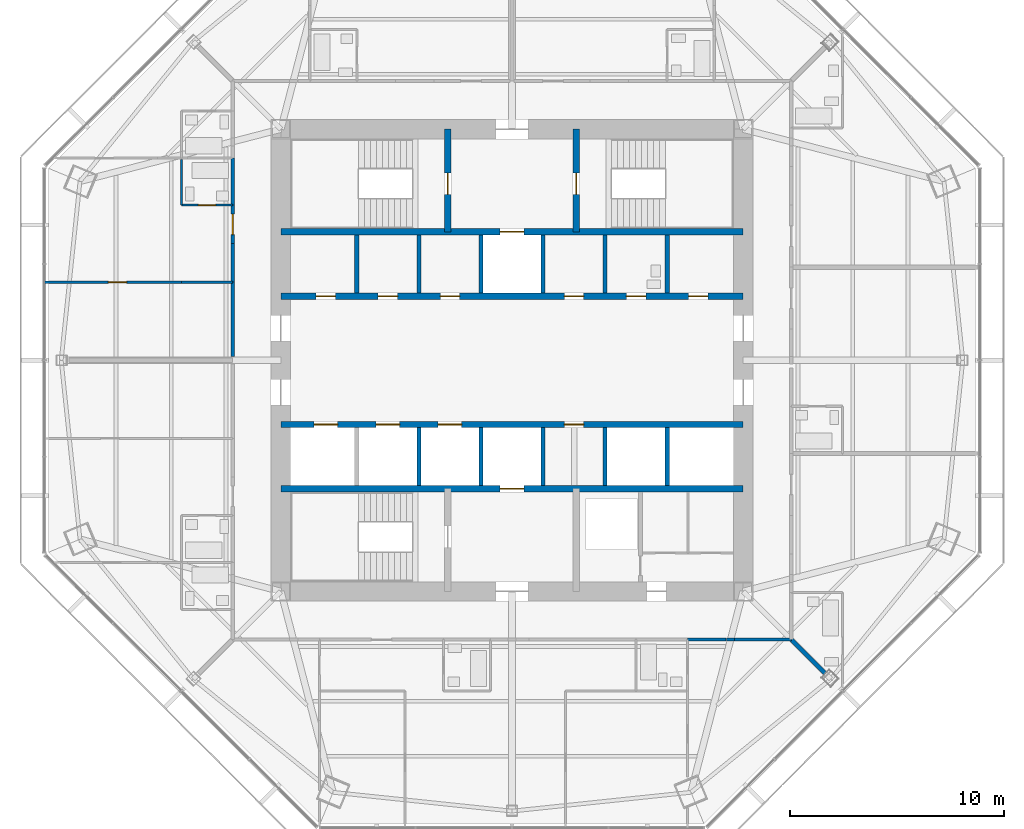
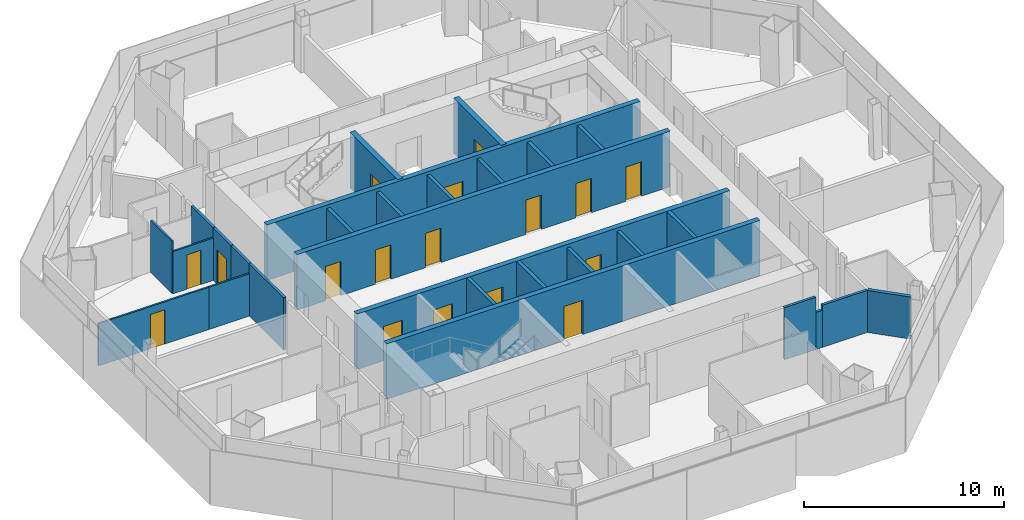
# One storey, part 10 of 16: 29 walls, 17 doors, 17 openings.
"""IFC4 building model written with IfcOpenShell, lengths in metres."""

from ifc_helpers import new_model, si_unit, direction, frame, frame_2d, origin, place, context, subcontext, project, spatial, rectangle, extrude, material, layer, layer_set, type_object, element, fill, save


model = new_model("IFC4")

# Units and contexts
model_context = context("Model", 3, precision=1e-05, world=origin(), true_north=direction((0.0, 1.0)))
body_context = subcontext(model_context, "Body", "Model", "MODEL_VIEW")
ifc_project = project(units=[si_unit("LENGTHUNIT", "METRE"), si_unit("AREAUNIT", "SQUARE_METRE"), si_unit("VOLUMEUNIT", "CUBIC_METRE"), si_unit("PLANEANGLEUNIT", "RADIAN"), si_unit("MASSUNIT", "GRAM", prefix="KILO")], contexts=[model_context])

# Site, building, storey
site_placement = place(None, origin())
site = spatial("IfcSite", under=ifc_project, at=site_placement, CompositionType="ELEMENT")
building_placement = place(site_placement, origin())
building = spatial("IfcBuilding", under=site, at=building_placement, Name="Mashrafa Tower", CompositionType="ELEMENT")
storey_placement = place(building_placement, frame((0.0, 0.0, 217.60009765625)))
storey = spatial("IfcBuildingStorey", under=building, at=storey_placement, Name="L50", CompositionType="ELEMENT", Elevation=217.60009765625)

# Wall
ifc_material_1 = material(Name="Gypsum board on steel studs", Category="steel")
ifc_layer_1 = layer(ifc_material_1, 0.199951171875)
ifc_layer_set_1 = layer_set([ifc_layer_1], Name="Acoustic partition 200 1 hr")
wall_type_1 = type_object("IfcWallType", Name="Acoustic partition 200 1 hr", PredefinedType="PARTITIONING", material=ifc_layer_set_1)
wall_1_placement = place(storey_placement, frame((13.050048828125, -13.050048828125, 0.0), z_axis=(0.0, 0.0, 1.0), x_axis=(0.707106781187, -0.707106781187, 0.0)))
element("IfcWall", 1, at=wall_1_placement, inside=storey, type_object=wall_type_1, Name="Acoustic wall L50-063", PredefinedType="PARTITIONING", context=body_context, shape_type="SweptSolid", body=[
    extrude(rectangle(XDim=2.23828125, YDim=0.199951171875, at=frame_2d((1.119140625, 0.0))), origin(), (0.0, 0.0, 1.0), 2.577880859375),
])

# Wall, openings, doors
ifc_material_2 = material(Name="Concrete C50/60", Category="concrete")
ifc_layer_2 = layer(ifc_material_2, 0.300048828125)
ifc_layer_set_2 = layer_set([ifc_layer_2], Name="Core wall 300 C50/60")
wall_type_2 = type_object("IfcWallType", Name="Core wall 300 C50/60", PredefinedType="SOLIDWALL", material=ifc_layer_set_2)
wall_2_placement = place(storey_placement, frame((-10.800048828125, 3.0, 0.0), z_axis=(0.0, 0.0, 1.0), x_axis=(1.0, 0.0, 0.0)))
wall_2 = element("IfcWall", 2, at=wall_2_placement, inside=storey, type_object=wall_type_2, Name="Core wall CH-N L50", PredefinedType="SOLIDWALL", context=body_context, shape_type="SweptSolid", body=[
    extrude(rectangle(XDim=21.60009765625, YDim=0.300048828125, at=frame_2d((10.800048828125, 0.0))), origin(), (0.0, 0.0, 1.0), 3.39990234375),
])
opening_1_placement = place(wall_2_placement, frame((1.64990234375, 0.0, 0.0)))
opening_1 = element("IfcOpeningElement", 3, at=opening_1_placement, cuts=wall_2, Name="Opening 50.043", PredefinedType="OPENING", context=body_context, shape_type="SweptSolid", body=[
    extrude(rectangle(XDim=0.89990234375, YDim=2.10009765625, at=frame_2d((0.449951171875, 1.050048828125))), frame((0.0, 0.159912109375, 0.0), z_axis=(0.0, -1.0, 0.0), x_axis=(1.0, 0.0, 0.0)), (0.0, 0.0, 1.0), 0.320068359375),
])
opening_2_placement = place(wall_2_placement, frame((13.25, 0.0, 0.0)))
opening_2 = element("IfcOpeningElement", 4, at=opening_2_placement, cuts=wall_2, Name="Opening 50.044", PredefinedType="OPENING", context=body_context, shape_type="SweptSolid", body=[
    extrude(rectangle(XDim=0.89990234375, YDim=2.10009765625, at=frame_2d((0.449951171875, 1.050048828125))), frame((0.0, 0.159912109375, 0.0), z_axis=(0.0, -1.0, 0.0), x_axis=(1.0, 0.0, 0.0)), (0.0, 0.0, 1.0), 0.320068359375),
])
opening_3_placement = place(wall_2_placement, frame((16.14990234375, 0.0, 0.0)))
opening_3 = element("IfcOpeningElement", 5, at=opening_3_placement, cuts=wall_2, Name="Opening 50.045", PredefinedType="OPENING", context=body_context, shape_type="SweptSolid", body=[
    extrude(rectangle(XDim=0.89990234375, YDim=2.10009765625, at=frame_2d((0.449951171875, 1.050048828125))), frame((0.0, 0.159912109375, 0.0), z_axis=(0.0, -1.0, 0.0), x_axis=(1.0, 0.0, 0.0)), (0.0, 0.0, 1.0), 0.320068359375),
])
opening_4_placement = place(wall_2_placement, frame((4.550048828125, 0.0, 0.0)))
opening_4 = element("IfcOpeningElement", 6, at=opening_4_placement, cuts=wall_2, Name="Opening 50.047", PredefinedType="OPENING", context=body_context, shape_type="SweptSolid", body=[
    extrude(rectangle(XDim=0.89990234375, YDim=2.10009765625, at=frame_2d((0.449951171875, 1.050048828125))), frame((0.0, 0.159912109375, 0.0), z_axis=(0.0, -1.0, 0.0), x_axis=(1.0, 0.0, 0.0)), (0.0, 0.0, 1.0), 0.320068359375),
])
opening_5_placement = place(wall_2_placement, frame((7.449951171875, 0.0, 0.0)))
opening_5 = element("IfcOpeningElement", 7, at=opening_5_placement, cuts=wall_2, Name="Opening 50.048", PredefinedType="OPENING", context=body_context, shape_type="SweptSolid", body=[
    extrude(rectangle(XDim=0.89990234375, YDim=2.10009765625, at=frame_2d((0.449951171875, 1.050048828125))), frame((0.0, 0.159912109375, 0.0), z_axis=(0.0, -1.0, 0.0), x_axis=(1.0, 0.0, 0.0)), (0.0, 0.0, 1.0), 0.320068359375),
])
opening_6_placement = place(wall_2_placement, frame((19.050048828125, 0.0, 0.0)))
opening_6 = element("IfcOpeningElement", 8, at=opening_6_placement, cuts=wall_2, Name="Opening 50.049", PredefinedType="OPENING", context=body_context, shape_type="SweptSolid", body=[
    extrude(rectangle(XDim=0.89990234375, YDim=2.10009765625, at=frame_2d((0.449951171875, 1.050048828125))), frame((0.0, 0.159912109375, 0.0), z_axis=(0.0, -1.0, 0.0), x_axis=(1.0, 0.0, 0.0)), (0.0, 0.0, 1.0), 0.320068359375),
])
ifc_material_3 = material(Name="Timber door", Category="wood")
door_type_1 = type_object("IfcDoorType", Name="Store door 900 x 2100", OperationType="USERDEFINED", PredefinedType="DOOR", material=ifc_material_3)
door_1_placement = place(opening_1_placement, origin())
door_1 = element("IfcDoor", 9, at=door_1_placement, inside=storey, type_object=door_type_1, Name="Refuse Chute Room L50 door", OperationType="SINGLE_SWING_RIGHT", OverallHeight=2.10009765625, OverallWidth=0.89990234375, PredefinedType="DOOR", context=body_context, shape_type="SweptSolid", body=[
    extrude(rectangle(XDim=0.89990234375, YDim=2.10009765625, at=frame_2d((0.449951171875, 1.050048828125))), frame((0.0, 0.02490234375, 0.0), z_axis=(0.0, -1.0, 0.0), x_axis=(1.0, 0.0, 0.0)), (0.0, 0.0, 1.0), 0.050048828125),
])
fill(opening_1, door_1)
door_2_placement = place(opening_2_placement, origin())
door_2 = element("IfcDoor", 10, at=door_2_placement, inside=storey, type_object=door_type_1, Name="Cleaner's Store L50 door", OperationType="SINGLE_SWING_LEFT", OverallHeight=2.10009765625, OverallWidth=0.89990234375, PredefinedType="DOOR", context=body_context, shape_type="SweptSolid", body=[
    extrude(rectangle(XDim=0.89990234375, YDim=2.10009765625, at=frame_2d((0.449951171875, 1.050048828125))), frame((0.0, 0.02490234375, 0.0), z_axis=(0.0, -1.0, 0.0), x_axis=(1.0, 0.0, 0.0)), (0.0, 0.0, 1.0), 0.050048828125),
])
fill(opening_2, door_2)
door_3_placement = place(opening_4_placement, origin())
door_3 = element("IfcDoor", 11, at=door_3_placement, inside=storey, type_object=door_type_1, Name="Residents' Store L50-A2 door", OperationType="SINGLE_SWING_LEFT", OverallHeight=2.10009765625, OverallWidth=0.89990234375, PredefinedType="DOOR", context=body_context, shape_type="SweptSolid", body=[
    extrude(rectangle(XDim=0.89990234375, YDim=2.10009765625, at=frame_2d((0.449951171875, 1.050048828125))), frame((0.0, 0.02490234375, 0.0), z_axis=(0.0, -1.0, 0.0), x_axis=(1.0, 0.0, 0.0)), (0.0, 0.0, 1.0), 0.050048828125),
])
fill(opening_4, door_3)
door_4_placement = place(opening_5_placement, origin())
door_4 = element("IfcDoor", 12, at=door_4_placement, inside=storey, type_object=door_type_1, Name="Residents' Store L50-A3 door", OperationType="SINGLE_SWING_LEFT", OverallHeight=2.10009765625, OverallWidth=0.89990234375, PredefinedType="DOOR", context=body_context, shape_type="SweptSolid", body=[
    extrude(rectangle(XDim=0.89990234375, YDim=2.10009765625, at=frame_2d((0.449951171875, 1.050048828125))), frame((0.0, 0.02490234375, 0.0), z_axis=(0.0, -1.0, 0.0), x_axis=(1.0, 0.0, 0.0)), (0.0, 0.0, 1.0), 0.050048828125),
])
fill(opening_5, door_4)
door_5_placement = place(opening_6_placement, origin())
door_5 = element("IfcDoor", 13, at=door_5_placement, inside=storey, type_object=door_type_1, Name="Residents' Store L50-K2 door", OperationType="SINGLE_SWING_LEFT", OverallHeight=2.10009765625, OverallWidth=0.89990234375, PredefinedType="DOOR", context=body_context, shape_type="SweptSolid", body=[
    extrude(rectangle(XDim=0.89990234375, YDim=2.10009765625, at=frame_2d((0.449951171875, 1.050048828125))), frame((0.0, 0.02490234375, 0.0), z_axis=(0.0, -1.0, 0.0), x_axis=(1.0, 0.0, 0.0)), (0.0, 0.0, 1.0), 0.050048828125),
])
fill(opening_6, door_5)
ifc_material_4 = material(Name="Timber door", Category="wood")
door_type_2 = type_object("IfcDoorType", Name="Toilet door 900 x 2100", OperationType="USERDEFINED", PredefinedType="DOOR", material=ifc_material_4)
door_6_placement = place(opening_3_placement, origin())
door_6 = element("IfcDoor", 14, at=door_6_placement, inside=storey, type_object=door_type_2, Name="Staff WC L50 door", OperationType="SINGLE_SWING_LEFT", OverallHeight=2.10009765625, OverallWidth=0.89990234375, PredefinedType="DOOR", context=body_context, shape_type="SweptSolid", body=[
    extrude(rectangle(XDim=0.89990234375, YDim=2.10009765625, at=frame_2d((0.449951171875, 1.050048828125))), frame((0.0, 0.02490234375, 0.0), z_axis=(0.0, -1.0, 0.0), x_axis=(1.0, 0.0, 0.0)), (0.0, 0.0, 1.0), 0.050048828125),
])
fill(opening_3, door_6)

# Wall, opening, door
wall_3_placement = place(storey_placement, frame((-10.800048828125, 6.0, 0.0), z_axis=(0.0, 0.0, 1.0), x_axis=(1.0, 0.0, 0.0)))
wall_3 = element("IfcWall", 15, at=wall_3_placement, inside=storey, type_object=wall_type_2, Name="Core wall CB-N L50", PredefinedType="SOLIDWALL", context=body_context, shape_type="SweptSolid", body=[
    extrude(rectangle(XDim=21.60009765625, YDim=0.300048828125, at=frame_2d((10.800048828125, 0.0))), origin(), (0.0, 0.0, 1.0), 3.39990234375),
])
opening_7_placement = place(wall_3_placement, frame((10.25, 0.0, 0.0)))
opening_7 = element("IfcOpeningElement", 16, at=opening_7_placement, cuts=wall_3, Name="Opening 50.F1", PredefinedType="OPENING", context=body_context, shape_type="SweptSolid", body=[
    extrude(rectangle(XDim=1.10009765625, YDim=2.10009765625, at=frame_2d((0.550048828125, 1.050048828125))), frame((0.0, 0.159912109375, 0.0), z_axis=(0.0, -1.0, 0.0), x_axis=(1.0, 0.0, 0.0)), (0.0, 0.0, 1.0), 0.320068359375),
])
ifc_material_5 = material(Name="Steel door", Category="steel")
door_type_3 = type_object("IfcDoorType", Name="Lift landing door 1100 x 2100 90 min", OperationType="DOUBLE_DOOR_SLIDING", PredefinedType="DOOR", material=ifc_material_5)
door_7_placement = place(opening_7_placement, origin())
door_7 = element("IfcDoor", 17, at=door_7_placement, inside=storey, type_object=door_type_3, Name="Lift landing door F1 L50", OperationType="DOUBLE_DOOR_SLIDING", OverallHeight=2.10009765625, OverallWidth=1.10009765625, PredefinedType="DOOR", context=body_context, shape_type="SweptSolid", body=[
    extrude(rectangle(XDim=1.10009765625, YDim=2.10009765625, at=frame_2d((0.550048828125, 1.050048828125))), frame((0.0, 0.02490234375, 0.0), z_axis=(0.0, -1.0, 0.0), x_axis=(1.0, 0.0, 0.0)), (0.0, 0.0, 1.0), 0.050048828125),
])
fill(opening_7, door_7)

wall_4_placement = place(storey_placement, frame((-3.0, 6.0, 0.0), z_axis=(0.0, 0.0, 1.0), x_axis=(0.0, 1.0, 0.0)))
wall_4 = element("IfcWall", 18, at=wall_4_placement, inside=storey, type_object=wall_type_2, Name="Core wall CX-NW L50", PredefinedType="SOLIDWALL", context=body_context, shape_type="SweptSolid", body=[
    extrude(rectangle(XDim=4.800048828125, YDim=0.300048828125, at=frame_2d((2.39990234375, 0.0))), origin(), (0.0, 0.0, 1.0), 3.39990234375),
])
opening_8_placement = place(wall_4_placement, frame((1.75, 0.0, 0.0)))
opening_8 = element("IfcOpeningElement", 19, at=opening_8_placement, cuts=wall_4, Name="Opening 50.036", PredefinedType="OPENING", context=body_context, shape_type="SweptSolid", body=[
    extrude(rectangle(XDim=1.0, YDim=2.10009765625, at=frame_2d((0.5, 1.050048828125))), frame((0.0, 0.159912109375, 0.0), z_axis=(0.0, -1.0, 0.0), x_axis=(1.0, 0.0, 0.0)), (0.0, 0.0, 1.0), 0.320068359375),
])
ifc_material_6 = material(Name="Steel door", Category="steel")
door_type_4 = type_object("IfcDoorType", Name="Stair door 1000 x 2100 90 min", OperationType="USERDEFINED", PredefinedType="DOOR", material=ifc_material_6)
door_8_placement = place(opening_8_placement, origin())
door_8 = element("IfcDoor", 20, at=door_8_placement, inside=storey, type_object=door_type_4, Name="Stair S1 door L50", OperationType="SINGLE_SWING_LEFT", OverallHeight=2.10009765625, OverallWidth=1.0, PredefinedType="DOOR", context=body_context, shape_type="SweptSolid", body=[
    extrude(rectangle(XDim=1.0, YDim=2.10009765625, at=frame_2d((0.5, 1.050048828125))), frame((0.0, 0.02490234375, 0.0), z_axis=(0.0, -1.0, 0.0), x_axis=(1.0, 0.0, 0.0)), (0.0, 0.0, 1.0), 0.050048828125),
])
fill(opening_8, door_8)

wall_5_placement = place(storey_placement, frame((3.0, 6.0, 0.0), z_axis=(0.0, 0.0, 1.0), x_axis=(0.0, 1.0, 0.0)))
wall_5 = element("IfcWall", 21, at=wall_5_placement, inside=storey, type_object=wall_type_2, Name="Core wall CX-NE L50", PredefinedType="SOLIDWALL", context=body_context, shape_type="SweptSolid", body=[
    extrude(rectangle(XDim=4.800048828125, YDim=0.300048828125, at=frame_2d((2.39990234375, 0.0))), origin(), (0.0, 0.0, 1.0), 3.39990234375),
])
opening_9_placement = place(wall_5_placement, frame((1.75, 0.0, 0.0)))
opening_9 = element("IfcOpeningElement", 22, at=opening_9_placement, cuts=wall_5, Name="Opening 50.037", PredefinedType="OPENING", context=body_context, shape_type="SweptSolid", body=[
    extrude(rectangle(XDim=1.0, YDim=2.10009765625, at=frame_2d((0.5, 1.050048828125))), frame((0.0, 0.159912109375, 0.0), z_axis=(0.0, -1.0, 0.0), x_axis=(1.0, 0.0, 0.0)), (0.0, 0.0, 1.0), 0.320068359375),
])
door_9_placement = place(opening_9_placement, frame((1.0, 0.0, 0.0), z_axis=(0.0, 0.0, 1.0), x_axis=(-1.0, 0.0, 0.0)))
door_9 = element("IfcDoor", 23, at=door_9_placement, inside=storey, type_object=door_type_4, Name="Stair S2 door L50", OperationType="SINGLE_SWING_RIGHT", OverallHeight=2.10009765625, OverallWidth=1.0, PredefinedType="DOOR", context=body_context, shape_type="SweptSolid", body=[
    extrude(rectangle(XDim=1.0, YDim=2.10009765625, at=frame_2d((0.5, 1.050048828125))), frame((0.0, 0.02490234375, 0.0), z_axis=(0.0, -1.0, 0.0), x_axis=(1.0, 0.0, 0.0)), (0.0, 0.0, 1.0), 0.050048828125),
])
fill(opening_9, door_9)

# Wall, openings, doors
wall_6_placement = place(storey_placement, frame((-10.800048828125, -3.0, 0.0), z_axis=(0.0, 0.0, 1.0), x_axis=(1.0, 0.0, 0.0)))
wall_6 = element("IfcWall", 24, at=wall_6_placement, inside=storey, type_object=wall_type_2, Name="Core wall CH-S L50", PredefinedType="SOLIDWALL", context=body_context, shape_type="SweptSolid", body=[
    extrude(rectangle(XDim=21.60009765625, YDim=0.300048828125, at=frame_2d((10.800048828125, 0.0))), origin(), (0.0, 0.0, 1.0), 3.39990234375),
])
opening_10_placement = place(wall_6_placement, frame((13.25, 0.0, 0.0)))
opening_10 = element("IfcOpeningElement", 25, at=opening_10_placement, cuts=wall_6, Name="Opening 50.046", PredefinedType="OPENING", context=body_context, shape_type="SweptSolid", body=[
    extrude(rectangle(XDim=0.89990234375, YDim=2.10009765625, at=frame_2d((0.449951171875, 1.050048828125))), frame((0.0, 0.159912109375, 0.0), z_axis=(0.0, -1.0, 0.0), x_axis=(1.0, 0.0, 0.0)), (0.0, 0.0, 1.0), 0.320068359375),
])
opening_11_placement = place(wall_6_placement, frame((1.550048828125, 0.0, 0.0)))
opening_11 = element("IfcOpeningElement", 26, at=opening_11_placement, cuts=wall_6, Name="Opening 50.AL1", PredefinedType="OPENING", context=body_context, shape_type="SweptSolid", body=[
    extrude(rectangle(XDim=1.10009765625, YDim=2.10009765625, at=frame_2d((0.550048828125, 1.050048828125))), frame((0.0, 0.159912109375, 0.0), z_axis=(0.0, -1.0, 0.0), x_axis=(1.0, 0.0, 0.0)), (0.0, 0.0, 1.0), 0.320068359375),
])
opening_12_placement = place(wall_6_placement, frame((4.449951171875, 0.0, 0.0)))
opening_12 = element("IfcOpeningElement", 27, at=opening_12_placement, cuts=wall_6, Name="Opening 50.AL2", PredefinedType="OPENING", context=body_context, shape_type="SweptSolid", body=[
    extrude(rectangle(XDim=1.10009765625, YDim=2.10009765625, at=frame_2d((0.550048828125, 1.050048828125))), frame((0.0, 0.159912109375, 0.0), z_axis=(0.0, -1.0, 0.0), x_axis=(1.0, 0.0, 0.0)), (0.0, 0.0, 1.0), 0.320068359375),
])
opening_13_placement = place(wall_6_placement, frame((7.35009765625, 0.0, 0.0)))
opening_13 = element("IfcOpeningElement", 28, at=opening_13_placement, cuts=wall_6, Name="Opening 50.AL3", PredefinedType="OPENING", context=body_context, shape_type="SweptSolid", body=[
    extrude(rectangle(XDim=1.10009765625, YDim=2.10009765625, at=frame_2d((0.550048828125, 1.050048828125))), frame((0.0, 0.159912109375, 0.0), z_axis=(0.0, -1.0, 0.0), x_axis=(1.0, 0.0, 0.0)), (0.0, 0.0, 1.0), 0.320068359375),
])
door_10_placement = place(opening_11_placement, origin())
door_10 = element("IfcDoor", 29, at=door_10_placement, inside=storey, type_object=door_type_3, Name="Lift landing door AL1 L50", OperationType="DOUBLE_DOOR_SLIDING", OverallHeight=2.10009765625, OverallWidth=1.10009765625, PredefinedType="DOOR", context=body_context, shape_type="SweptSolid", body=[
    extrude(rectangle(XDim=1.10009765625, YDim=2.10009765625, at=frame_2d((0.550048828125, 1.050048828125))), frame((0.0, 0.02490234375, 0.0), z_axis=(0.0, -1.0, 0.0), x_axis=(1.0, 0.0, 0.0)), (0.0, 0.0, 1.0), 0.050048828125),
])
fill(opening_11, door_10)
door_11_placement = place(opening_12_placement, origin())
door_11 = element("IfcDoor", 30, at=door_11_placement, inside=storey, type_object=door_type_3, Name="Lift landing door AL2 L50", OperationType="DOUBLE_DOOR_SLIDING", OverallHeight=2.10009765625, OverallWidth=1.10009765625, PredefinedType="DOOR", context=body_context, shape_type="SweptSolid", body=[
    extrude(rectangle(XDim=1.10009765625, YDim=2.10009765625, at=frame_2d((0.550048828125, 1.050048828125))), frame((0.0, 0.02490234375, 0.0), z_axis=(0.0, -1.0, 0.0), x_axis=(1.0, 0.0, 0.0)), (0.0, 0.0, 1.0), 0.050048828125),
])
fill(opening_12, door_11)
door_12_placement = place(opening_13_placement, origin())
door_12 = element("IfcDoor", 31, at=door_12_placement, inside=storey, type_object=door_type_3, Name="Lift landing door AL3 L50", OperationType="DOUBLE_DOOR_SLIDING", OverallHeight=2.10009765625, OverallWidth=1.10009765625, PredefinedType="DOOR", context=body_context, shape_type="SweptSolid", body=[
    extrude(rectangle(XDim=1.10009765625, YDim=2.10009765625, at=frame_2d((0.550048828125, 1.050048828125))), frame((0.0, 0.02490234375, 0.0), z_axis=(0.0, -1.0, 0.0), x_axis=(1.0, 0.0, 0.0)), (0.0, 0.0, 1.0), 0.050048828125),
])
fill(opening_13, door_12)
door_13_placement = place(opening_10_placement, frame((0.89990234375, 0.0, 0.0), z_axis=(0.0, 0.0, 1.0), x_axis=(-1.0, 0.0, 0.0)))
door_13 = element("IfcDoor", 32, at=door_13_placement, inside=storey, type_object=door_type_1, Name="Linen Store L50 door", OperationType="SINGLE_SWING_RIGHT", OverallHeight=2.10009765625, OverallWidth=0.89990234375, PredefinedType="DOOR", context=body_context, shape_type="SweptSolid", body=[
    extrude(rectangle(XDim=0.89990234375, YDim=2.10009765625, at=frame_2d((0.449951171875, 1.050048828125))), frame((0.0, 0.02490234375, 0.0), z_axis=(0.0, -1.0, 0.0), x_axis=(1.0, 0.0, 0.0)), (0.0, 0.0, 1.0), 0.050048828125),
])
fill(opening_10, door_13)

# Wall, opening, door
wall_7_placement = place(storey_placement, frame((-10.800048828125, -6.0, 0.0), z_axis=(0.0, 0.0, 1.0), x_axis=(1.0, 0.0, 0.0)))
wall_7 = element("IfcWall", 33, at=wall_7_placement, inside=storey, type_object=wall_type_2, Name="Core wall CB-S L50", PredefinedType="SOLIDWALL", context=body_context, shape_type="SweptSolid", body=[
    extrude(rectangle(XDim=21.60009765625, YDim=0.300048828125, at=frame_2d((10.800048828125, 0.0))), origin(), (0.0, 0.0, 1.0), 3.39990234375),
])
opening_14_placement = place(wall_7_placement, frame((10.25, 0.0, 0.0)))
opening_14 = element("IfcOpeningElement", 34, at=opening_14_placement, cuts=wall_7, Name="Opening 50.F2", PredefinedType="OPENING", context=body_context, shape_type="SweptSolid", body=[
    extrude(rectangle(XDim=1.10009765625, YDim=2.10009765625, at=frame_2d((0.550048828125, 1.050048828125))), frame((0.0, 0.159912109375, 0.0), z_axis=(0.0, -1.0, 0.0), x_axis=(1.0, 0.0, 0.0)), (0.0, 0.0, 1.0), 0.320068359375),
])
door_14_placement = place(opening_14_placement, origin())
door_14 = element("IfcDoor", 35, at=door_14_placement, inside=storey, type_object=door_type_3, Name="Lift landing door F2 L50", OperationType="DOUBLE_DOOR_SLIDING", OverallHeight=2.10009765625, OverallWidth=1.10009765625, PredefinedType="DOOR", context=body_context, shape_type="SweptSolid", body=[
    extrude(rectangle(XDim=1.10009765625, YDim=2.10009765625, at=frame_2d((0.550048828125, 1.050048828125))), frame((0.0, 0.02490234375, 0.0), z_axis=(0.0, -1.0, 0.0), x_axis=(1.0, 0.0, 0.0)), (0.0, 0.0, 1.0), 0.050048828125),
])
fill(opening_14, door_14)

# Walls
ifc_material_7 = material(Name="Gypsum board on steel studs", Category="steel")
ifc_layer_3 = layer(ifc_material_7, 0.14990234375)
ifc_layer_set_3 = layer_set([ifc_layer_3], Name="Corridor partition 150 1 hr")
wall_type_3 = type_object("IfcWallType", Name="Corridor partition 150 1 hr", PredefinedType="PARTITIONING", material=ifc_layer_set_3)
wall_8_placement = place(storey_placement, frame((-13.050048828125, 9.450927734375, 0.0), z_axis=(0.0, 0.0, 1.0), x_axis=(0.0, -1.0, 0.0)))
element("IfcWall", 36, at=wall_8_placement, inside=storey, type_object=wall_type_3, Name="Corridor wall L50-036", PredefinedType="PARTITIONING", context=body_context, shape_type="SweptSolid", body=[
    extrude(rectangle(XDim=2.201904296875, YDim=0.14990234375, at=frame_2d((1.10107421875, 0.0))), origin(), (0.0, 0.0, 1.0), 3.199951171875),
])
wall_9_placement = place(storey_placement, frame((-13.050048828125, 5.450927734375, 0.0), z_axis=(0.0, 0.0, 1.0), x_axis=(0.0, -1.0, 0.0)))
element("IfcWall", 37, at=wall_9_placement, inside=storey, type_object=wall_type_3, Name="Corridor wall L50-037", PredefinedType="PARTITIONING", context=body_context, shape_type="SweptSolid", body=[
    extrude(rectangle(XDim=1.802001953125, YDim=0.14990234375, at=frame_2d((0.90087890625, 0.0))), origin(), (0.0, 0.0, 1.0), 3.199951171875),
])
wall_10_placement = place(storey_placement, frame((-13.050048828125, 3.65087890625, 0.0), z_axis=(0.0, 0.0, 1.0), x_axis=(0.0, -1.0, 0.0)))
element("IfcWall", 38, at=wall_10_placement, inside=storey, type_object=wall_type_3, Name="Corridor wall L50-038", PredefinedType="PARTITIONING", context=body_context, shape_type="SweptSolid", body=[
    extrude(rectangle(XDim=3.46728515625, YDim=0.14990234375, at=frame_2d((1.733642578125, 0.0))), origin(), (0.0, 0.0, 1.0), 3.199951171875),
])

# Wall, opening, door
wall_11_placement = place(storey_placement, frame((-13.050048828125, 7.2509765625, 0.0), z_axis=(0.0, 0.0, 1.0), x_axis=(0.0, -1.0, 0.0)))
wall_11 = element("IfcWall", 39, at=wall_11_placement, inside=storey, type_object=wall_type_3, Name="Corridor wall L50-039", PredefinedType="PARTITIONING", context=body_context, shape_type="SweptSolid", body=[
    extrude(rectangle(XDim=1.802001953125, YDim=0.14990234375, at=frame_2d((0.90087890625, 0.0))), origin(), (0.0, 0.0, 1.0), 3.199951171875),
])
opening_15_placement = place(wall_11_placement, frame((0.426025390625, 0.0, 0.0)))
opening_15 = element("IfcOpeningElement", 40, at=opening_15_placement, cuts=wall_11, Name="Opening 50.017", PredefinedType="OPENING", context=body_context, shape_type="SweptSolid", body=[
    extrude(rectangle(XDim=0.949951171875, YDim=2.10009765625, at=frame_2d((0.47509765625, 1.050048828125))), frame((0.0, 0.0849609375, 0.0), z_axis=(0.0, -1.0, 0.0), x_axis=(1.0, 0.0, 0.0)), (0.0, 0.0, 1.0), 0.169921875),
])
ifc_material_8 = material(Name="Steel door", Category="steel")
door_type_5 = type_object("IfcDoorType", Name="Residence entrance door 950 x 2100 20 min", OperationType="USERDEFINED", PredefinedType="DOOR", material=ifc_material_8)
door_15_placement = place(opening_15_placement, frame((0.949951171875, 0.0, 0.0), z_axis=(0.0, 0.0, 1.0), x_axis=(-1.0, 0.0, 0.0)))
door_15 = element("IfcDoor", 41, at=door_15_placement, inside=storey, type_object=door_type_5, Name="Apartment 5006 Living Room door", OperationType="SINGLE_SWING_LEFT", OverallHeight=2.10009765625, OverallWidth=0.949951171875, PredefinedType="DOOR", context=body_context, shape_type="SweptSolid", body=[
    extrude(rectangle(XDim=0.949951171875, YDim=2.10009765625, at=frame_2d((0.47509765625, 1.050048828125))), frame((0.0, 0.02490234375, 0.0), z_axis=(0.0, -1.0, 0.0), x_axis=(1.0, 0.0, 0.0)), (0.0, 0.0, 1.0), 0.050048828125),
])
fill(opening_15, door_15)

# Walls
wall_12_placement = place(storey_placement, frame((8.198974609375, -13.050048828125, 0.0), z_axis=(0.0, 0.0, 1.0), x_axis=(1.0, 0.0, 0.0)))
element("IfcWall", 42, at=wall_12_placement, inside=storey, type_object=wall_type_3, Name="Corridor wall L50-056", PredefinedType="PARTITIONING", context=body_context, shape_type="SweptSolid", body=[
    extrude(rectangle(XDim=1.81201171875, YDim=0.14990234375, at=frame_2d((0.906005859375, 0.0))), origin(), (0.0, 0.0, 1.0), 3.199951171875),
])
wall_13_placement = place(storey_placement, frame((10.388671875, -13.050048828125, 0.0), z_axis=(0.0, 0.0, 1.0), x_axis=(1.0, 0.0, 0.0)))
element("IfcWall", 43, at=wall_13_placement, inside=storey, type_object=wall_type_3, Name="Corridor wall L50-057", PredefinedType="PARTITIONING", context=body_context, shape_type="SweptSolid", body=[
    extrude(rectangle(XDim=2.661376953125, YDim=0.14990234375, at=frame_2d((1.33056640625, 0.0))), origin(), (0.0, 0.0, 1.0), 2.577880859375),
])
wall_14_placement = place(storey_placement, frame((10.010986328125, -13.050048828125, 0.0), z_axis=(0.0, 0.0, 1.0), x_axis=(1.0, 0.0, 0.0)))
element("IfcWall", 44, at=wall_14_placement, inside=storey, type_object=wall_type_3, Name="Corridor wall L50-058", PredefinedType="PARTITIONING", context=body_context, shape_type="SweptSolid", body=[
    extrude(rectangle(XDim=0.377685546875, YDim=0.14990234375, at=frame_2d((0.18896484375, 0.0))), origin(), (0.0, 0.0, 1.0), 2.26806640625),
])
ifc_material_9 = material(Name="Gypsum board on steel studs", Category="steel")
ifc_layer_4 = layer(ifc_material_9, 0.10009765625)
ifc_layer_set_4 = layer_set([ifc_layer_4], Name="Partition 100")
wall_type_4 = type_object("IfcWallType", Name="Partition 100", PredefinedType="PARTITIONING", material=ifc_layer_set_4)
wall_15_placement = place(storey_placement, frame((-15.449951171875, 9.370849609375, 0.0), z_axis=(0.0, 0.0, 1.0), x_axis=(0.0, -1.0, 0.0)))
element("IfcWall", 45, at=wall_15_placement, inside=storey, type_object=wall_type_4, Name="Partition wall L50-093", PredefinedType="PARTITIONING", context=body_context, shape_type="SweptSolid", body=[
    extrude(rectangle(XDim=2.120849609375, YDim=0.10009765625, at=frame_2d((1.060546875, 0.0))), origin(), (0.0, 0.0, 1.0), 3.199951171875),
])

# Wall, opening, door
wall_16_placement = place(storey_placement, frame((-15.449951171875, 7.25, 0.0), z_axis=(0.0, 0.0, 1.0), x_axis=(1.0, 0.0, 0.0)))
wall_16 = element("IfcWall", 46, at=wall_16_placement, inside=storey, type_object=wall_type_4, Name="Partition wall L50-094", PredefinedType="PARTITIONING", context=body_context, shape_type="SweptSolid", body=[
    extrude(rectangle(XDim=2.39990234375, YDim=0.10009765625, at=frame_2d((1.199951171875, 0.0))), origin(), (0.0, 0.0, 1.0), 2.590576171875),
])
opening_16_placement = place(wall_16_placement, frame((0.800048828125, 0.0, 0.0)))
opening_16 = element("IfcOpeningElement", 47, at=opening_16_placement, cuts=wall_16, Name="Opening 50.015", PredefinedType="OPENING", context=body_context, shape_type="SweptSolid", body=[
    extrude(rectangle(XDim=0.800048828125, YDim=2.10009765625, at=frame_2d((0.39990234375, 1.050048828125))), frame((0.0, 0.06005859375, 0.0), z_axis=(0.0, -1.0, 0.0), x_axis=(1.0, 0.0, 0.0)), (0.0, 0.0, 1.0), 0.1201171875),
])
ifc_material_10 = material(Name="Timber door", Category="wood")
door_type_6 = type_object("IfcDoorType", Name="Bathroom door 800 x 2100", OperationType="USERDEFINED", PredefinedType="DOOR", material=ifc_material_10)
door_16_placement = place(opening_16_placement, origin())
door_16 = element("IfcDoor", 48, at=door_16_placement, inside=storey, type_object=door_type_6, Name="Apartment 5006 Bathroom door", OperationType="SINGLE_SWING_RIGHT", OverallHeight=2.10009765625, OverallWidth=0.800048828125, PredefinedType="DOOR", context=body_context, shape_type="SweptSolid", body=[
    extrude(rectangle(XDim=0.800048828125, YDim=2.10009765625, at=frame_2d((0.39990234375, 1.050048828125))), frame((0.0, 0.02490234375, 0.0), z_axis=(0.0, -1.0, 0.0), x_axis=(1.0, 0.0, 0.0)), (0.0, 0.0, 1.0), 0.050048828125),
])
fill(opening_16, door_16)

# Wall
wall_17_placement = place(storey_placement, frame((-15.449951171875, 3.64990234375, 0.0), z_axis=(0.0, 0.0, 1.0), x_axis=(1.0, 0.0, 0.0)))
element("IfcWall", 49, at=wall_17_placement, inside=storey, type_object=wall_type_4, Name="Partition wall L50-095", PredefinedType="PARTITIONING", context=body_context, shape_type="SweptSolid", body=[
    extrude(rectangle(XDim=2.39990234375, YDim=0.10009765625, at=frame_2d((1.199951171875, 0.0))), origin(), (0.0, 0.0, 1.0), 2.590576171875),
])

# Wall, opening, door
wall_18_placement = place(storey_placement, frame((-15.448974609375, 3.64990234375, 0.0), z_axis=(0.0, 0.0, 1.0), x_axis=(-1.0, 0.0, 0.0)))
wall_18 = element("IfcWall", 50, at=wall_18_placement, inside=storey, type_object=wall_type_4, Name="Partition wall L50-096", PredefinedType="PARTITIONING", context=body_context, shape_type="SweptSolid", body=[
    extrude(rectangle(XDim=6.39404296875, YDim=0.10009765625, at=frame_2d((3.197021484375, 0.0))), origin(), (0.0, 0.0, 1.0), 2.590576171875),
])
opening_17_placement = place(wall_18_placement, frame((2.55517578125, 0.0, 0.0)))
opening_17 = element("IfcOpeningElement", 51, at=opening_17_placement, cuts=wall_18, Name="Opening 50.016", PredefinedType="OPENING", context=body_context, shape_type="SweptSolid", body=[
    extrude(rectangle(XDim=0.85009765625, YDim=2.10009765625, at=frame_2d((0.425048828125, 1.050048828125))), frame((0.0, 0.06005859375, 0.0), z_axis=(0.0, -1.0, 0.0), x_axis=(1.0, 0.0, 0.0)), (0.0, 0.0, 1.0), 0.1201171875),
])
ifc_material_11 = material(Name="Timber door", Category="wood")
door_type_7 = type_object("IfcDoorType", Name="Bedroom door 850 x 2100", OperationType="USERDEFINED", PredefinedType="DOOR", material=ifc_material_11)
door_17_placement = place(opening_17_placement, origin())
door_17 = element("IfcDoor", 52, at=door_17_placement, inside=storey, type_object=door_type_7, Name="Apartment 5006 Bedroom 2 door", OperationType="SINGLE_SWING_RIGHT", OverallHeight=2.10009765625, OverallWidth=0.85009765625, PredefinedType="DOOR", context=body_context, shape_type="SweptSolid", body=[
    extrude(rectangle(XDim=0.85009765625, YDim=2.10009765625, at=frame_2d((0.425048828125, 1.050048828125))), frame((0.0, 0.02490234375, 0.0), z_axis=(0.0, -1.0, 0.0), x_axis=(1.0, 0.0, 0.0)), (0.0, 0.0, 1.0), 0.050048828125),
])
fill(opening_17, door_17)

# Walls
ifc_material_12 = material(Name="Gypsum shaft wall on steel studs", Category="steel")
ifc_layer_5 = layer(ifc_material_12, 0.199951171875)
ifc_layer_set_5 = layer_set([ifc_layer_5], Name="Shaft divider wall 200 2 hr")
wall_type_5 = type_object("IfcWallType", Name="Shaft divider wall 200 2 hr", PredefinedType="PARTITIONING", material=ifc_layer_set_5)
for number, where, z_axis, x_axis, name in (
    (53, (-7.25, 3.14990234375, 0.0), (0.0, 0.0, 1.0), (0.0, 1.0, 0.0), "Shaft divider wall N1 L50"),
    (54, (-4.35009765625, 3.14990234375, 0.0), (0.0, 0.0, 1.0), (0.0, 1.0, 0.0), "Shaft divider wall N2 L50"),
    (55, (-1.449951171875, 3.14990234375, 0.0), (0.0, 0.0, 1.0), (0.0, 1.0, 0.0), "Shaft divider wall N3 L50"),
    (56, (1.449951171875, 3.14990234375, 0.0), (0.0, 0.0, 1.0), (0.0, 1.0, 0.0), "Shaft divider wall N4 L50"),
    (57, (4.35009765625, 3.14990234375, 0.0), (0.0, 0.0, 1.0), (0.0, 1.0, 0.0), "Shaft divider wall N5 L50"),
    (58, (7.25, 3.14990234375, 0.0), (0.0, 0.0, 1.0), (0.0, 1.0, 0.0), "Shaft divider wall N6 L50"),
):
    element("IfcWall", number, at=place(storey_placement, frame(where, z_axis=z_axis, x_axis=x_axis)), inside=storey, type_object=wall_type_5, Name=name, PredefinedType="PARTITIONING", context=body_context, shape_type="SweptSolid", body=[
        extrude(rectangle(XDim=2.7001953125, YDim=0.199951171875, at=frame_2d((1.35009765625, 0.0))), origin(), (0.0, 0.0, 1.0), 3.199951171875),
    ])
for number, where, z_axis, x_axis, name in (
    (59, (-4.35009765625, -5.85009765625, 0.0), (0.0, 0.0, 1.0), (0.0, 1.0, 0.0), "Shaft divider wall S2 L50"),
    (60, (-1.449951171875, -5.85009765625, 0.0), (0.0, 0.0, 1.0), (0.0, 1.0, 0.0), "Shaft divider wall S3 L50"),
):
    element("IfcWall", number, at=place(storey_placement, frame(where, z_axis=z_axis, x_axis=x_axis)), inside=storey, type_object=wall_type_5, Name=name, PredefinedType="PARTITIONING", context=body_context, shape_type="SweptSolid", body=[
        extrude(rectangle(XDim=2.7001953125, YDim=0.199951171875, at=frame_2d((1.35009765625, 0.0))), origin(), (0.0, 0.0, 1.0), 3.39990234375),
    ])
for number, where, z_axis, x_axis, name in (
    (61, (1.449951171875, -5.85009765625, 0.0), (0.0, 0.0, 1.0), (0.0, 1.0, 0.0), "Shaft divider wall S4 L50"),
    (62, (4.35009765625, -5.85009765625, 0.0), (0.0, 0.0, 1.0), (0.0, 1.0, 0.0), "Shaft divider wall S5 L50"),
):
    element("IfcWall", number, at=place(storey_placement, frame(where, z_axis=z_axis, x_axis=x_axis)), inside=storey, type_object=wall_type_5, Name=name, PredefinedType="PARTITIONING", context=body_context, shape_type="SweptSolid", body=[
        extrude(rectangle(XDim=2.7001953125, YDim=0.199951171875, at=frame_2d((1.35009765625, 0.0))), origin(), (0.0, 0.0, 1.0), 3.199951171875),
    ])
wall_19_placement = place(storey_placement, frame((7.25, -5.85009765625, 0.0), z_axis=(0.0, 0.0, 1.0), x_axis=(0.0, 1.0, 0.0)))
element("IfcWall", 63, at=wall_19_placement, inside=storey, type_object=wall_type_5, Name="Shaft divider wall S6 L50", PredefinedType="PARTITIONING", context=body_context, shape_type="SweptSolid", body=[
    extrude(rectangle(XDim=2.7001953125, YDim=0.199951171875, at=frame_2d((1.35009765625, 0.0))), origin(), (0.0, 0.0, 1.0), 3.39990234375),
])

save(model, "model.ifc")
